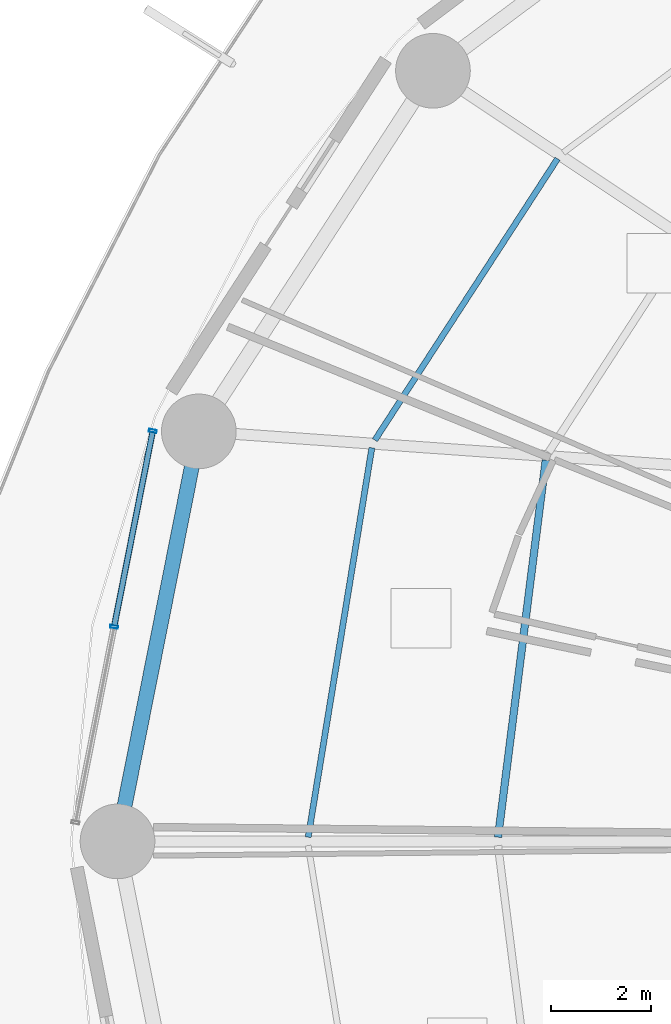
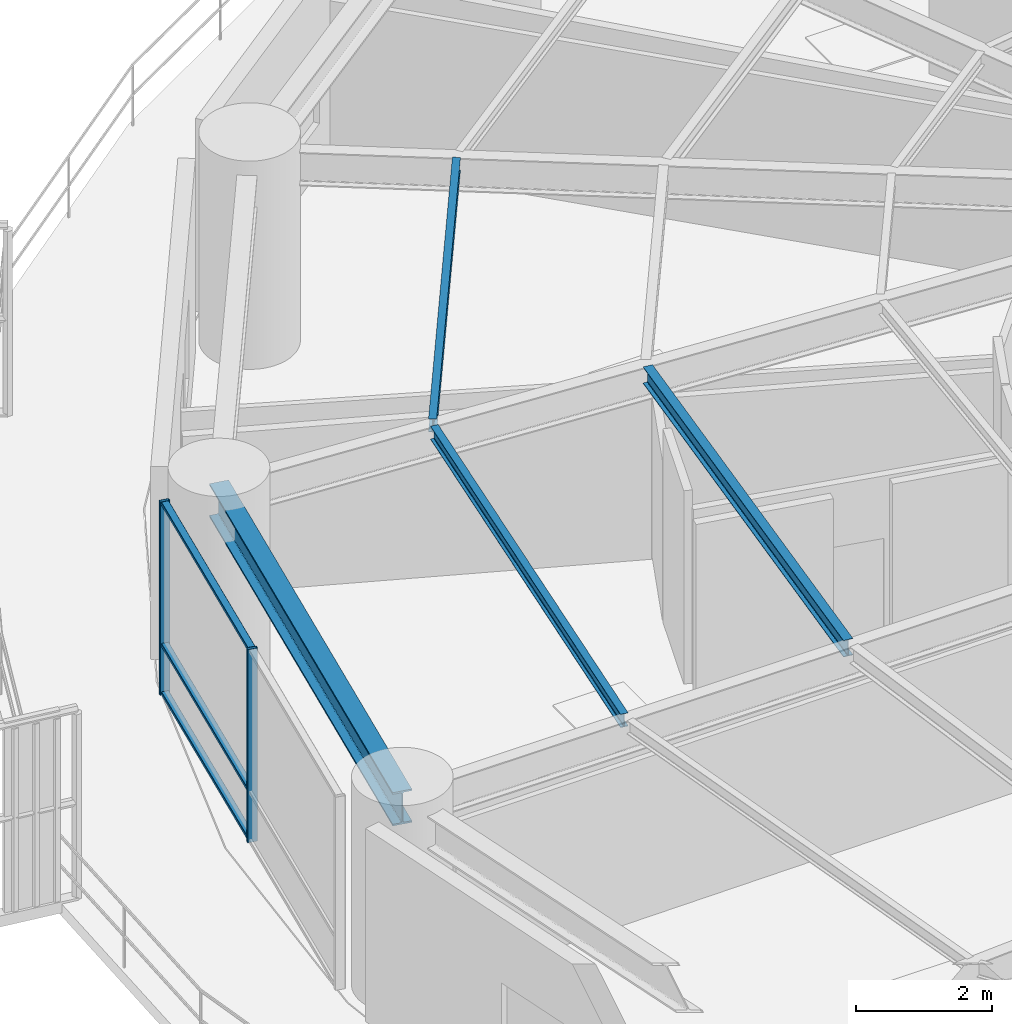
# One storey, part 15 of 33: 5 members, 4 beams, 1 element without a shape of its own.
"""IFC4 building model written with IfcOpenShell, lengths in metres."""

import ifcopenshell
import ifcopenshell.guid

model = None  # the IFC model being written
_history = None  # IfcOwnerHistory: only IFC2X3 demands one
_inside = {}  # id of a spatial element -> (the spatial element, [elements in it])
_under = {}  # id of a project, library or spatial element -> (it, [spatial elements below it])
_declared = {}  # id of a project -> (the project, [libraries it declares])
_typed = {}  # id of a type object -> (the type object, [elements of that type])
_made_of = {}  # id of a material, layer set ... -> (it, [elements and type objects made of it])


def new_model(schema):
    """Start an empty IFC model of exactly this schema.

    Asked for "IFC4X3", IfcOpenShell would pick the latest addendum, in which some entities
    have other attributes; the version numbers below select the first issue.
    IFC2X3 requires an IfcOwnerHistory on every rooted entity: one is made here for all.
    """
    global model, _history
    if schema == "IFC4X3":
        model = ifcopenshell.file(schema_version=(4, 3, 0, 0))
    else:
        model = ifcopenshell.file(schema=schema)
    _inside.clear()
    _under.clear()
    _declared.clear()
    _typed.clear()
    _made_of.clear()
    _history = None
    if model.schema == "IFC2X3":
        org = make("IfcOrganization", Name="unknown")
        user = make(
            "IfcPersonAndOrganization",
            ThePerson=make("IfcPerson", FamilyName="unknown"),
            TheOrganization=org,
        )
        app = make(
            "IfcApplication",
            ApplicationDeveloper=org,
            Version="unknown",
            ApplicationFullName="unknown",
            ApplicationIdentifier="unknown",
        )
        _history = make(
            "IfcOwnerHistory",
            OwningUser=user,
            OwningApplication=app,
            ChangeAction="ADDED",
            CreationDate=0,
        )
    return model


def make(cls, **values):
    """One entity of the class cls with the attributes given. An attribute that is None is left unset."""
    return model.create_entity(
        cls, **{name: value for name, value in values.items() if value is not None}
    )


def rooted(cls, **values):
    """An entity with a GlobalId (a new one), such as an element, a storey or a relation."""
    return make(cls, GlobalId=ifcopenshell.guid.new(), OwnerHistory=_history, **values)


def si_unit(unit_type, name, prefix=None):
    """IfcSIUnit, for example si_unit("LENGTHUNIT", "METRE", prefix="MILLI")."""
    return make("IfcSIUnit", UnitType=unit_type, Prefix=prefix, Name=name)


def assignment(units):
    """IfcUnitAssignment: the units of a project."""
    return None if units is None else make("IfcUnitAssignment", Units=units)


def point(xyz):
    """IfcCartesianPoint."""
    return None if xyz is None else make("IfcCartesianPoint", Coordinates=xyz)


def direction(xyz):
    """IfcDirection."""
    return None if xyz is None else make("IfcDirection", DirectionRatios=xyz)


def frame(location, z_axis=None, x_axis=None):
    """IfcAxis2Placement3D, a coordinate frame: its origin and axes. An axis left out is left unset."""
    return make(
        "IfcAxis2Placement3D",
        Location=point(location),
        Axis=direction(z_axis),
        RefDirection=direction(x_axis),
    )


def frame_2d(location, x_axis=None):
    """IfcAxis2Placement2D, a coordinate frame in the plane: its origin and x axis."""
    return make(
        "IfcAxis2Placement2D", Location=point(location), RefDirection=direction(x_axis)
    )


def origin():
    """The frame at (0, 0, 0) with its axes left unset."""
    return frame((0.0, 0.0, 0.0))


def origin_2d():
    """The frame at (0, 0) in the plane with its x axis left unset."""
    return frame_2d((0.0, 0.0))


def place(relative_to, where):
    """IfcLocalPlacement: puts the frame where relative to a parent placement (None: the world)."""
    return make(
        "IfcLocalPlacement", PlacementRelTo=relative_to, RelativePlacement=where
    )


def context(
    kind, dimensions, precision=None, world=None, true_north=None, identifier=None
):
    """IfcGeometricRepresentationContext, for example the 3D "Model" context."""
    return make(
        "IfcGeometricRepresentationContext",
        ContextIdentifier=identifier,
        ContextType=kind,
        CoordinateSpaceDimension=dimensions,
        Precision=precision,
        WorldCoordinateSystem=world,
        TrueNorth=true_north,
    )


def subcontext(parent, identifier, kind, view, scale=None):
    """IfcGeometricRepresentationSubContext, for example "Body" below "Model"."""
    return make(
        "IfcGeometricRepresentationSubContext",
        ContextIdentifier=identifier,
        ContextType=kind,
        ParentContext=parent,
        TargetScale=scale,
        TargetView=view,
    )


def project(units=None, contexts=None):
    """IfcProject with its units and contexts."""
    return rooted(
        "IfcProject",
        Name="project",
        RepresentationContexts=contexts,
        UnitsInContext=assignment(units),
    )


def spatial(cls, under=None, at=None, **own):
    """A site, building, storey or space (cls), placed at a placement, below another one or the project."""
    s = rooted(cls, ObjectPlacement=at, **own)
    if under is not None:
        _under.setdefault(under.id(), (under, []))[1].append(s)
    return s


def profile(cls, at=None, kind="AREA", **sizes):
    """A parametric profile (cls). Its sizes go by their IFC names, for example OverallWidth=200.0."""
    return make(cls, ProfileType=kind, Position=at, **sizes)


def hollow_rectangle(**sizes):
    """IfcRectangleHollowProfileDef."""
    return profile("IfcRectangleHollowProfileDef", **sizes)


def i_section(**sizes):
    """IfcIShapeProfileDef."""
    return profile("IfcIShapeProfileDef", **sizes)


def extrude(swept, where, along, depth):
    """IfcExtrudedAreaSolid: the profile swept, set in the frame where, extruded along a direction by depth."""
    return make(
        "IfcExtrudedAreaSolid",
        SweptArea=swept,
        Position=where,
        ExtrudedDirection=direction(along),
        Depth=depth,
    )


def shape(context_of_items, identifier, shape_type, items):
    """IfcShapeRepresentation: the items that make up one representation, for example the "Body"."""
    return make(
        "IfcShapeRepresentation",
        ContextOfItems=context_of_items,
        RepresentationIdentifier=identifier,
        RepresentationType=shape_type,
        Items=items,
    )


def material(Name=None, Category=None):
    """IfcMaterial."""
    return make("IfcMaterial", Name=Name, Category=Category)


def layer(
    of_material, thickness, ventilated=None, Name=None, Category=None, Priority=None
):
    """IfcMaterialLayer: one layer of a wall or slab, of a material (None: an air gap)."""
    return make(
        "IfcMaterialLayer",
        Material=of_material,
        LayerThickness=thickness,
        IsVentilated=ventilated,
        Name=Name,
        Category=Category,
        Priority=Priority,
    )


def layer_set(layers, Name=None):
    """IfcMaterialLayerSet."""
    return make("IfcMaterialLayerSet", MaterialLayers=layers, LayerSetName=Name)


def material_profile(
    of_material, cross_section, Name=None, Category=None, Priority=None
):
    """IfcMaterialProfile: a cross section and its material."""
    return make(
        "IfcMaterialProfile",
        Name=Name,
        Material=of_material,
        Profile=cross_section,
        Priority=Priority,
        Category=Category,
    )


def profile_set(profiles, Name=None, composite=None):
    """IfcMaterialProfileSet."""
    return make(
        "IfcMaterialProfileSet",
        Name=Name,
        MaterialProfiles=profiles,
        CompositeProfile=composite,
    )


def made_of(thing, what):
    """Note that an element or type object is made of a material, layer set ...; save() writes the relation."""
    if what is not None:
        _made_of.setdefault(what.id(), (what, []))[1].append(thing)
    return thing


def type_object(cls, material=None, **own):
    """A type object (cls), such as IfcWallType, which elements share."""
    return made_of(rooted(cls, **own), material)


def element(
    cls,
    number,
    at=None,
    inside=None,
    cuts=None,
    type_object=None,
    material=None,
    context=None,
    identifier="Body",
    shape_type=None,
    held_by="IfcProductDefinitionShape",
    body=None,
    shapes=None,
    **own,
):
    """One element of the class cls, such as IfcWall. Its Tag is "e" and its number.

    at: its placement. inside: the storey or other place that contains it. cuts: it is an
    opening in that element (IfcRelVoidsElement). A single representation is given by context,
    identifier, shape_type and body (its items); several are given by shapes. held_by: the class
    of the entity that holds the representations. save() writes the other relations.
    """
    e = rooted(cls, Tag="e%d" % number, ObjectPlacement=at, **own)
    if body is not None:
        shapes = [shape(context, identifier, shape_type, body)]
    if shapes is not None:
        e.Representation = make(held_by, Representations=shapes)
    if inside is not None:
        _inside.setdefault(inside.id(), (inside, []))[1].append(e)
    if cuts is not None:
        rooted(
            "IfcRelVoidsElement", RelatingBuildingElement=cuts, RelatedOpeningElement=e
        )
    if type_object is not None:
        _typed.setdefault(type_object.id(), (type_object, []))[1].append(e)
    return made_of(e, material)


def aggregate(whole, parts):
    """IfcRelAggregates: a whole, such as a stair, and the parts it consists of."""
    return rooted("IfcRelAggregates", RelatingObject=whole, RelatedObjects=parts)


def save(model, path):
    """Write the relations noted so far, then the file.

    IfcRelAggregates (storeys below a building ...), IfcRelContainedInSpatialStructure (elements
    in a storey), IfcRelDefinesByType, IfcRelAssociatesMaterial and IfcRelDeclares: one each for
    every whole, place, type object, material and project.
    """
    for whole, parts in _under.values():
        aggregate(whole, parts)
    for where, things in _inside.values():
        rooted(
            "IfcRelContainedInSpatialStructure",
            RelatedElements=things,
            RelatingStructure=where,
        )
    for kind, things in _typed.values():
        rooted("IfcRelDefinesByType", RelatedObjects=things, RelatingType=kind)
    for what, things in _made_of.values():
        rooted("IfcRelAssociatesMaterial", RelatedObjects=things, RelatingMaterial=what)
    for by, libraries in _declared.values():
        rooted("IfcRelDeclares", RelatingContext=by, RelatedDefinitions=libraries)
    model.write(path)


model = new_model("IFC4")

# Units and contexts
model_context = context("Model", 3, precision=1e-05, world=origin(), true_north=direction((0.0, 1.0)))
body_context = subcontext(model_context, "Body", "Model", "MODEL_VIEW")
ifc_project = project(units=[si_unit("LENGTHUNIT", "METRE"), si_unit("AREAUNIT", "SQUARE_METRE"), si_unit("VOLUMEUNIT", "CUBIC_METRE"), si_unit("PLANEANGLEUNIT", "RADIAN"), si_unit("MASSUNIT", "GRAM", prefix="KILO")], contexts=[model_context])

# Site, building, storey
site_placement = place(None, origin())
site = spatial("IfcSite", under=ifc_project, at=site_placement, CompositionType="ELEMENT")
building_placement = place(site_placement, origin())
building = spatial("IfcBuilding", under=site, at=building_placement, Name="Kelanora Arch Commons", CompositionType="ELEMENT")
storey_placement = place(building_placement, frame((0.0, 0.0, 26.25)))
storey = spatial("IfcBuildingStorey", under=building, at=storey_placement, Name="L06", CompositionType="ELEMENT", Elevation=26.25)

# Beams
ifc_material_1 = material(Name="Steel S355", Category="steel")
ifc_material_profile_1 = material_profile(ifc_material_1, i_section(OverallWidth=0.14990234375, OverallDepth=0.300048828125, WebThickness=0.007080078125, FlangeThickness=0.0107421875, FilletRadius=0.014892578125, at=origin_2d()), Name="IPE300")
ifc_profile_set_1 = profile_set([ifc_material_profile_1], Name="Steel S355")
beam_type_1 = type_object("IfcBeamType", Name="BM-JST-01", PredefinedType="JOIST", material=ifc_profile_set_1)
beam_1_placement = place(storey_placement, frame((55.521240234375, 65.6572265625, 3.340087890625), z_axis=(-0.125565841651, -0.992085288375, 0.0), x_axis=(0.992085288375, -0.125565841651, 0.0)))
element("IfcBeam", 1, at=beam_1_placement, inside=storey, type_object=beam_type_1, Name="Secondary Chord Joist BJB-16 L06", PredefinedType="JOIST", context=body_context, shape_type="SweptSolid", body=[
    extrude(i_section(OverallWidth=0.14990234375, OverallDepth=0.300048828125, WebThickness=0.007080078125, FlangeThickness=0.0107421875, FilletRadius=0.014892578125, at=origin_2d()), origin(), (0.0, 0.0, 1.0), 7.63330078125),
])
ifc_material_profile_2 = material_profile(ifc_material_1, i_section(OverallWidth=0.1201171875, OverallDepth=0.239990234375, WebThickness=0.006103515625, FlangeThickness=0.009765625, FilletRadius=0.014892578125, at=origin_2d()), Name="IPE240")
ifc_profile_set_2 = profile_set([ifc_material_profile_2], Name="Steel S355")
beam_type_2 = type_object("IfcBeamType", Name="BM-JST-02", PredefinedType="JOIST", material=ifc_profile_set_2)
beam_2_placement = place(storey_placement, frame((55.758056640625, 71.711181640625, 3.3701171875), z_axis=(-0.544550165372, -0.838728273873, 0.0), x_axis=(0.838728273873, -0.544550165372, 0.0)))
element("IfcBeam", 2, at=beam_2_placement, inside=storey, type_object=beam_type_2, Name="Secondary Chord Joist BJC-14 L06", PredefinedType="JOIST", context=body_context, shape_type="SweptSolid", body=[
    extrude(i_section(OverallWidth=0.1201171875, OverallDepth=0.239990234375, WebThickness=0.006103515625, FlangeThickness=0.009765625, FilletRadius=0.014892578125, at=origin_2d()), origin(), (0.0, 0.0, 1.0), 6.738037109375),
])
beam_3_placement = place(storey_placement, frame((52.02880859375, 65.90478515625, 3.3701171875), z_axis=(-0.161400737199, -0.986888951216, 0.0), x_axis=(0.986888951216, -0.161400737199, 0.0)))
element("IfcBeam", 3, at=beam_3_placement, inside=storey, type_object=beam_type_2, Name="Secondary Chord Joist BJC-16 L06", PredefinedType="JOIST", context=body_context, shape_type="SweptSolid", body=[
    extrude(i_section(OverallWidth=0.1201171875, OverallDepth=0.239990234375, WebThickness=0.006103515625, FlangeThickness=0.009765625, FilletRadius=0.014892578125, at=origin_2d()), origin(), (0.0, 0.0, 1.0), 7.9248046875),
])
ifc_material_profile_3 = material_profile(ifc_material_1, i_section(OverallWidth=0.300048828125, OverallDepth=0.60009765625, WebThickness=0.015380859375, FlangeThickness=0.030029296875, FilletRadius=0.027099609375, at=origin_2d()), Name="HEB600")
ifc_profile_set_3 = profile_set([ifc_material_profile_3], Name="Steel S355")
beam_type_3 = type_object("IfcBeamType", Name="BM-SPN-Z1", PredefinedType="SPANDREL", material=ifc_profile_set_3)
beam_4_placement = place(storey_placement, frame((48.552978515625, 66.23583984375, 3.18994140625), z_axis=(-0.194499827256, -0.980902552345, 0.0), x_axis=(0.980902552345, -0.194499827256, 0.0)))
element("IfcBeam", 4, at=beam_4_placement, inside=storey, type_object=beam_type_3, Name="Perimeter Spandrel Beam BS-16 L06", PredefinedType="SPANDREL", context=body_context, shape_type="SweptSolid", body=[
    extrude(i_section(OverallWidth=0.300048828125, OverallDepth=0.60009765625, WebThickness=0.015380859375, FlangeThickness=0.030029296875, FilletRadius=0.027099609375, at=origin_2d()), origin(), (0.0, 0.0, 1.0), 8.396240234375),
])

# Curtain wall, members
ifc_material_2 = material(Name="Terracotta ceramic-fritted low-E glass and aluminium", Category="masonry")
ifc_layer = layer(ifc_material_2, 0.159912109375)
ifc_layer_set = layer_set([ifc_layer], Name="Terracotta ceramic-fritted low-E glass and aluminium")
curtain_wall_type = type_object("IfcCurtainWallType", Name="CW-SYS-01", PredefinedType="NOTDEFINED", material=ifc_layer_set)
curtain_wall_placement = place(storey_placement, origin())
curtain_wall = element("IfcCurtainWall", 5, at=curtain_wall_placement, inside=storey, type_object=curtain_wall_type, Name="Unitised Curtain Wall L06-B08", PredefinedType="NOTDEFINED")
ifc_material_3 = material(Name="Powder-coated aluminium terracotta", Category="masonry")
ifc_material_profile_4 = material_profile(ifc_material_3, hollow_rectangle(XDim=0.159912109375, YDim=0.06005859375, WallThickness=0.0048828125, InnerFilletRadius=0.0048828125, OuterFilletRadius=0.010009765625, at=origin_2d()), Name="CWM160x60")
ifc_profile_set_4 = profile_set([ifc_material_profile_4], Name="Powder-coated aluminium terracotta")
member_type_1 = type_object("IfcMemberType", Name="CWM-STD", PredefinedType="MULLION", material=ifc_profile_set_4)
member_1_placement = place(storey_placement, frame((47.628173828125, 66.243896484375, 0.0), z_axis=(0.0, 0.0, 1.0), x_axis=(0.981052110579, -0.193744048498, 0.0)))
member_1 = element("IfcMember", 6, at=member_1_placement, type_object=member_type_1, Name="CW-01 mullion 1", PredefinedType="MULLION", context=body_context, shape_type="SweptSolid", body=[
    extrude(hollow_rectangle(XDim=0.159912109375, YDim=0.06005859375, WallThickness=0.0048828125, InnerFilletRadius=0.0048828125, OuterFilletRadius=0.010009765625, at=origin_2d()), origin(), (0.0, 0.0, 1.0), 3.47509765625),
])
member_2_placement = place(storey_placement, frame((46.8515625, 62.3115234375, 0.0), z_axis=(0.0, 0.0, 1.0), x_axis=(0.981052110579, -0.193744048498, 0.0)))
member_2 = element("IfcMember", 7, at=member_2_placement, type_object=member_type_1, Name="CW-01 mullion 2", PredefinedType="MULLION", context=body_context, shape_type="SweptSolid", body=[
    extrude(hollow_rectangle(XDim=0.159912109375, YDim=0.06005859375, WallThickness=0.0048828125, InnerFilletRadius=0.0048828125, OuterFilletRadius=0.010009765625, at=origin_2d()), origin(), (0.0, 0.0, 1.0), 3.47509765625),
])
ifc_material_profile_5 = material_profile(ifc_material_3, hollow_rectangle(XDim=0.1201171875, YDim=0.06005859375, WallThickness=0.0048828125, InnerFilletRadius=0.0048828125, OuterFilletRadius=0.010009765625, at=origin_2d()), Name="CWT120x60")
ifc_profile_set_5 = profile_set([ifc_material_profile_5], Name="Powder-coated aluminium terracotta")
member_type_2 = type_object("IfcMemberType", Name="CWT-STD", PredefinedType="USERDEFINED", material=ifc_profile_set_5)
member_3_placement = place(storey_placement, frame((47.622314453125, 66.21435546875, 0.030029296875), z_axis=(-0.193725436624, -0.98105578598, 0.0), x_axis=(0.98105578598, -0.193725436624, 0.0)))
member_3 = element("IfcMember", 8, at=member_3_placement, type_object=member_type_2, Name="CW-01 transom 1.1", ObjectType="TRANSOM", PredefinedType="USERDEFINED", context=body_context, shape_type="SweptSolid", body=[
    extrude(hollow_rectangle(XDim=0.1201171875, YDim=0.06005859375, WallThickness=0.0048828125, InnerFilletRadius=0.0048828125, OuterFilletRadius=0.010009765625, at=origin_2d()), origin(), (0.0, 0.0, 1.0), 3.9482421875),
])
member_4_placement = place(storey_placement, frame((47.622314453125, 66.21435546875, 0.89990234375), z_axis=(-0.193725436624, -0.98105578598, 0.0), x_axis=(0.98105578598, -0.193725436624, 0.0)))
member_4 = element("IfcMember", 9, at=member_4_placement, type_object=member_type_2, Name="CW-01 transom 1.2", ObjectType="TRANSOM", PredefinedType="USERDEFINED", context=body_context, shape_type="SweptSolid", body=[
    extrude(hollow_rectangle(XDim=0.1201171875, YDim=0.06005859375, WallThickness=0.0048828125, InnerFilletRadius=0.0048828125, OuterFilletRadius=0.010009765625, at=origin_2d()), origin(), (0.0, 0.0, 1.0), 3.9482421875),
])
member_5_placement = place(storey_placement, frame((47.622314453125, 66.21435546875, 3.445068359375), z_axis=(-0.193725436624, -0.98105578598, 0.0), x_axis=(0.98105578598, -0.193725436624, 0.0)))
member_5 = element("IfcMember", 10, at=member_5_placement, type_object=member_type_2, Name="CW-01 transom 1.3", ObjectType="TRANSOM", PredefinedType="USERDEFINED", context=body_context, shape_type="SweptSolid", body=[
    extrude(hollow_rectangle(XDim=0.1201171875, YDim=0.06005859375, WallThickness=0.0048828125, InnerFilletRadius=0.0048828125, OuterFilletRadius=0.010009765625, at=origin_2d()), origin(), (0.0, 0.0, 1.0), 3.9482421875),
])
aggregate(curtain_wall, [member_1, member_2, member_3, member_4, member_5])

save(model, "model.ifc")
